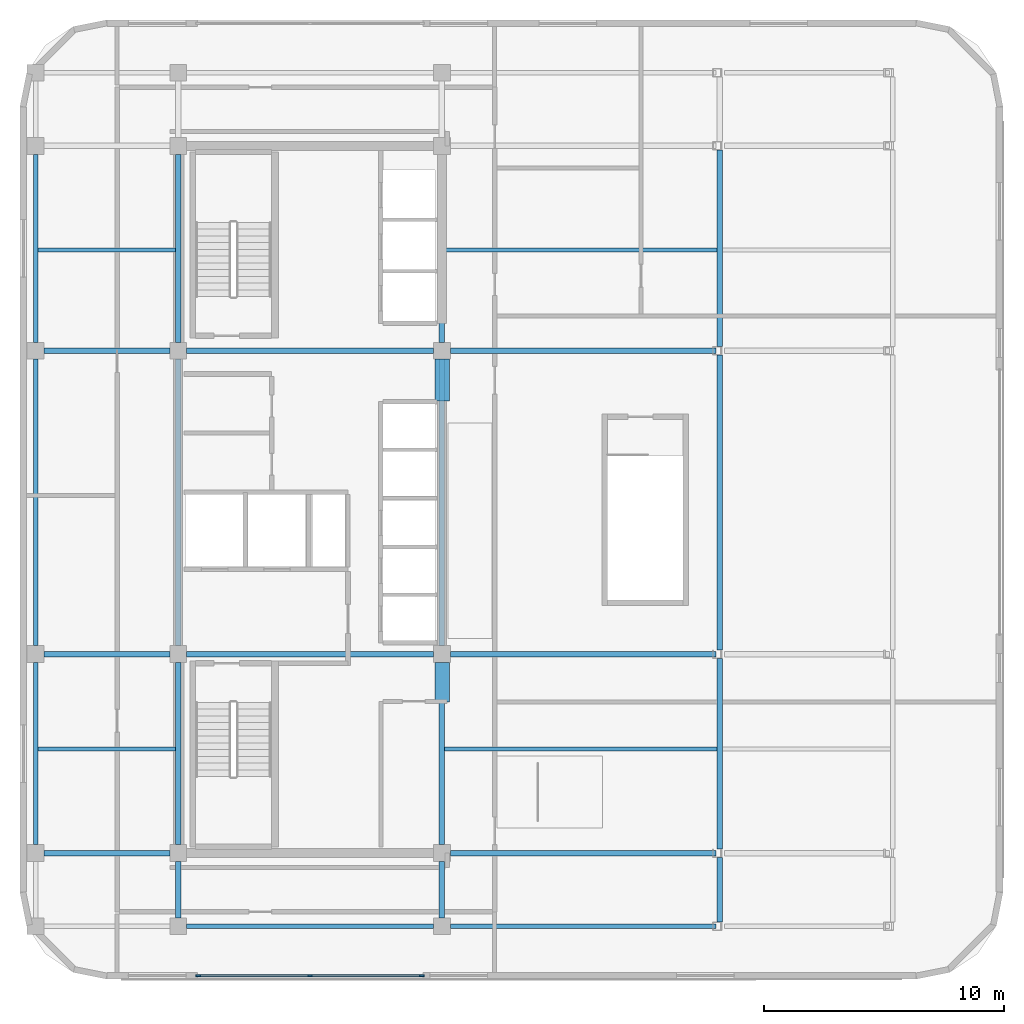
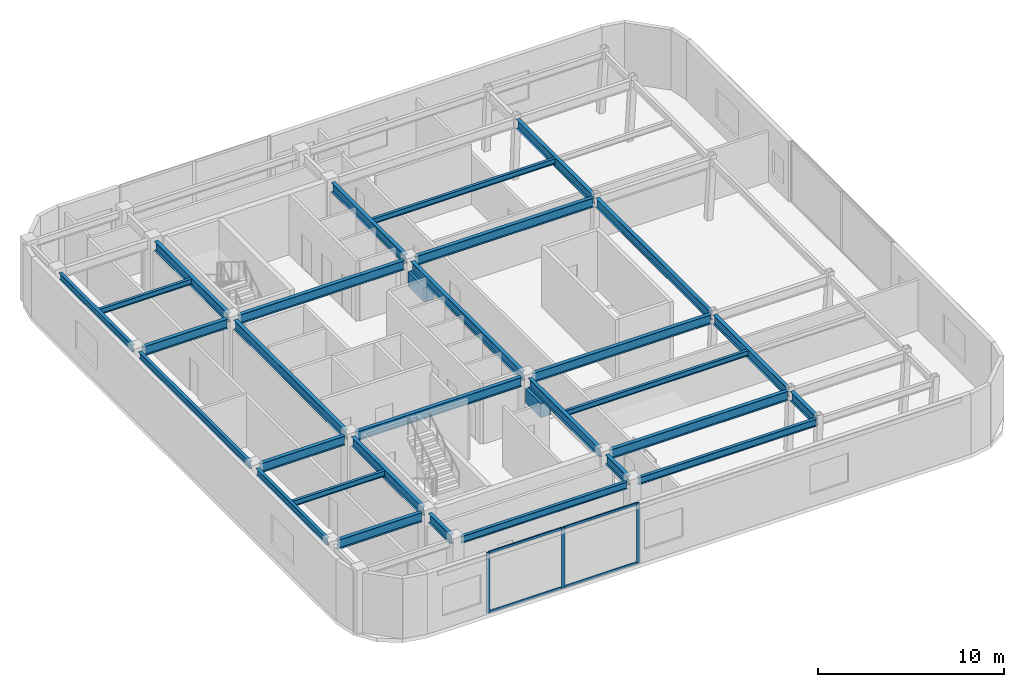
# One storey, part 2 of 11: 31 beams, 7 members, 1 element without a shape of its own.
"""IFC4 building model written with IfcOpenShell, lengths in metres."""

from ifc_helpers import new_model, si_unit, direction, frame, origin, origin_2d, place, context, subcontext, project, spatial, rectangle, i_section, extrude, material, layer, layer_set, material_profile, profile_set, type_object, element, aggregate, save


model = new_model("IFC4")

# Units and contexts
model_context = context("Model", 3, precision=1e-05, world=origin(), true_north=direction((0.0, 1.0)))
body_context = subcontext(model_context, "Body", "Model", "MODEL_VIEW")
ifc_project = project(units=[si_unit("LENGTHUNIT", "METRE"), si_unit("AREAUNIT", "SQUARE_METRE"), si_unit("VOLUMEUNIT", "CUBIC_METRE"), si_unit("PLANEANGLEUNIT", "RADIAN"), si_unit("MASSUNIT", "GRAM", prefix="KILO")], contexts=[model_context])

# Site, building, storey
site_placement = place(None, origin())
site = spatial("IfcSite", under=ifc_project, at=site_placement, CompositionType="ELEMENT")
building_placement = place(site_placement, origin())
building = spatial("IfcBuilding", under=site, at=building_placement, Name="Ochreholt Gables", CompositionType="ELEMENT")
storey_placement = place(building_placement, frame((0.0, 0.0, 192.0)))
storey = spatial("IfcBuildingStorey", under=building, at=storey_placement, Name="L50", CompositionType="ELEMENT", Elevation=192.0)

# Beams
ifc_material_1 = material(Name="Concrete 60 MPa", Category="concrete")
ifc_material_profile_1 = material_profile(ifc_material_1, rectangle(XDim=0.60009765625, YDim=0.949951171875, at=origin_2d()), Name="RCB600X950")
ifc_profile_set_1 = profile_set([ifc_material_profile_1], Name="Concrete 60 MPa")
beam_type_1 = type_object("IfcBeamType", Name="BM-CPL-RC600", PredefinedType="LINTEL", material=ifc_profile_set_1)
beam_1_placement = place(storey_placement, frame((35.2099609375, 15.550048828125, 2.873046875), z_axis=(0.0, 1.0, 0.0), x_axis=(-1.0, 0.0, 0.0)))
element("IfcBeam", 1, at=beam_1_placement, inside=storey, type_object=beam_type_1, Name="L50 Core Coupling Lintel CPS", PredefinedType="LINTEL", context=body_context, shape_type="SweptSolid", body=[
    extrude(rectangle(XDim=0.60009765625, YDim=0.949951171875, at=origin_2d()), origin(), (0.0, 0.0, 1.0), 1.64990234375),
])
beam_2_placement = place(storey_placement, frame((35.2099609375, 28.10009765625, 2.873046875), z_axis=(0.0, 1.0, 0.0), x_axis=(-1.0, 0.0, 0.0)))
element("IfcBeam", 2, at=beam_2_placement, inside=storey, type_object=beam_type_1, Name="L50 Core Coupling Lintel CPN", PredefinedType="LINTEL", context=body_context, shape_type="SweptSolid", body=[
    extrude(rectangle(XDim=0.60009765625, YDim=0.949951171875, at=origin_2d()), origin(), (0.0, 0.0, 1.0), 1.75),
])
ifc_material_2 = material(Name="Steel CSA G40.21 350W", Category="steel")
ifc_material_profile_2 = material_profile(ifc_material_2, i_section(OverallWidth=0.22900390625, OverallDepth=0.612060546875, WebThickness=0.011962890625, FlangeThickness=0.01953125, at=origin_2d()), Name="W610X125")
ifc_profile_set_2 = profile_set([ifc_material_profile_2], Name="Steel CSA G40.21 350W")
beam_type_2 = type_object("IfcBeamType", Name="BM-G-W610B", PredefinedType="BEAM", material=ifc_profile_set_2)
beam_3_placement = place(storey_placement, frame((18.599609375, 9.25, 3.654052734375), z_axis=(1.0, 0.0, 0.0), x_axis=(0.0, 1.0, 0.0)))
element("IfcBeam", 3, at=beam_3_placement, inside=storey, type_object=beam_type_2, Name="L50 Beam TBG-L50-W3C1-Y2", PredefinedType="BEAM", context=body_context, shape_type="SweptSolid", body=[
    extrude(i_section(OverallWidth=0.22900390625, OverallDepth=0.612060546875, WebThickness=0.011962890625, FlangeThickness=0.01953125, at=origin_2d()), origin(), (0.0, 0.0, 1.0), 5.250732421875),
])
beam_4_placement = place(storey_placement, frame((35.549560546875, 9.25, 3.654052734375), z_axis=(1.0, 0.0, 0.0), x_axis=(0.0, 1.0, 0.0)))
element("IfcBeam", 4, at=beam_4_placement, inside=storey, type_object=beam_type_2, Name="L50 Beam TBG-L50-C2EM-Y2", PredefinedType="BEAM", context=body_context, shape_type="SweptSolid", body=[
    extrude(i_section(OverallWidth=0.22900390625, OverallDepth=0.612060546875, WebThickness=0.011962890625, FlangeThickness=0.01953125, at=origin_2d()), origin(), (0.0, 0.0, 1.0), 11.075927734375),
])
beam_5_placement = place(storey_placement, frame((18.599609375, 17.550048828125, 3.654052734375), z_axis=(1.0, 0.0, 0.0), x_axis=(0.0, 1.0, 0.0)))
element("IfcBeam", 5, at=beam_5_placement, inside=storey, type_object=beam_type_2, Name="L50 Beam TBG-L50-W3C1-Y3", PredefinedType="BEAM", context=body_context, shape_type="SweptSolid", body=[
    extrude(i_section(OverallWidth=0.22900390625, OverallDepth=0.612060546875, WebThickness=0.011962890625, FlangeThickness=0.01953125, at=origin_2d()), origin(), (0.0, 0.0, 1.0), 5.250732421875),
])
beam_6_placement = place(storey_placement, frame((24.549560546875, 17.550048828125, 3.654052734375), z_axis=(1.0, 0.0, 0.0), x_axis=(0.0, 1.0, 0.0)))
element("IfcBeam", 6, at=beam_6_placement, inside=storey, type_object=beam_type_2, Name="L50 Beam TBG-L50-C1C2-Y3", PredefinedType="BEAM", context=body_context, shape_type="SweptSolid", body=[
    extrude(i_section(OverallWidth=0.22900390625, OverallDepth=0.612060546875, WebThickness=0.011962890625, FlangeThickness=0.01953125, at=origin_2d()), origin(), (0.0, 0.0, 1.0), 10.30078125),
])
beam_7_placement = place(storey_placement, frame((35.549560546875, 17.550048828125, 3.654052734375), z_axis=(1.0, 0.0, 0.0), x_axis=(0.0, 1.0, 0.0)))
element("IfcBeam", 7, at=beam_7_placement, inside=storey, type_object=beam_type_2, Name="L50 Beam TBG-L50-C2EM-Y3", PredefinedType="BEAM", context=body_context, shape_type="SweptSolid", body=[
    extrude(i_section(OverallWidth=0.22900390625, OverallDepth=0.612060546875, WebThickness=0.011962890625, FlangeThickness=0.01953125, at=origin_2d()), origin(), (0.0, 0.0, 1.0), 11.075927734375),
])
beam_8_placement = place(storey_placement, frame((18.599609375, 30.199951171875, 3.654052734375), z_axis=(1.0, 0.0, 0.0), x_axis=(0.0, 1.0, 0.0)))
element("IfcBeam", 8, at=beam_8_placement, inside=storey, type_object=beam_type_2, Name="L50 Beam TBG-L50-W3C1-Y4", PredefinedType="BEAM", context=body_context, shape_type="SweptSolid", body=[
    extrude(i_section(OverallWidth=0.22900390625, OverallDepth=0.612060546875, WebThickness=0.011962890625, FlangeThickness=0.01953125, at=origin_2d()), origin(), (0.0, 0.0, 1.0), 5.250732421875),
])
beam_9_placement = place(storey_placement, frame((24.549560546875, 30.199951171875, 3.654052734375), z_axis=(1.0, 0.0, 0.0), x_axis=(0.0, 1.0, 0.0)))
element("IfcBeam", 9, at=beam_9_placement, inside=storey, type_object=beam_type_2, Name="L50 Beam TBG-L50-C1C2-Y4", PredefinedType="BEAM", context=body_context, shape_type="SweptSolid", body=[
    extrude(i_section(OverallWidth=0.22900390625, OverallDepth=0.612060546875, WebThickness=0.011962890625, FlangeThickness=0.01953125, at=origin_2d()), origin(), (0.0, 0.0, 1.0), 10.30078125),
])
beam_10_placement = place(storey_placement, frame((35.549560546875, 30.199951171875, 3.654052734375), z_axis=(1.0, 0.0, 0.0), x_axis=(0.0, 1.0, 0.0)))
element("IfcBeam", 10, at=beam_10_placement, inside=storey, type_object=beam_type_2, Name="L50 Beam TBG-L50-C2EM-Y4", PredefinedType="BEAM", context=body_context, shape_type="SweptSolid", body=[
    extrude(i_section(OverallWidth=0.22900390625, OverallDepth=0.612060546875, WebThickness=0.011962890625, FlangeThickness=0.01953125, at=origin_2d()), origin(), (0.0, 0.0, 1.0), 11.075927734375),
])
beam_11_placement = place(storey_placement, frame((24.199951171875, 6.549560546875, 3.654052734375), z_axis=(0.0, 1.0, 0.0), x_axis=(-1.0, 0.0, 0.0)))
element("IfcBeam", 11, at=beam_11_placement, inside=storey, type_object=beam_type_2, Name="L50 Beam TBN-L50-C1-Y1Y2", PredefinedType="BEAM", context=body_context, shape_type="SweptSolid", body=[
    extrude(i_section(OverallWidth=0.22900390625, OverallDepth=0.612060546875, WebThickness=0.011962890625, FlangeThickness=0.01953125, at=origin_2d()), origin(), (0.0, 0.0, 1.0), 2.350830078125),
])
beam_12_placement = place(storey_placement, frame((24.199951171875, 9.599609375, 3.654052734375), z_axis=(0.0, 1.0, 0.0), x_axis=(-1.0, 0.0, 0.0)))
element("IfcBeam", 12, at=beam_12_placement, inside=storey, type_object=beam_type_2, Name="L50 Beam TBN-L50-C1-Y2Y3", PredefinedType="BEAM", context=body_context, shape_type="SweptSolid", body=[
    extrude(i_section(OverallWidth=0.22900390625, OverallDepth=0.612060546875, WebThickness=0.011962890625, FlangeThickness=0.01953125, at=origin_2d()), origin(), (0.0, 0.0, 1.0), 7.600830078125),
])
beam_13_placement = place(storey_placement, frame((24.199951171875, 17.899658203125, 3.654052734375), z_axis=(0.0, 1.0, 0.0), x_axis=(-1.0, 0.0, 0.0)))
element("IfcBeam", 13, at=beam_13_placement, inside=storey, type_object=beam_type_2, Name="L50 Beam TBN-L50-C1-Y3Y4", PredefinedType="BEAM", context=body_context, shape_type="SweptSolid", body=[
    extrude(i_section(OverallWidth=0.22900390625, OverallDepth=0.612060546875, WebThickness=0.011962890625, FlangeThickness=0.01953125, at=origin_2d()), origin(), (0.0, 0.0, 1.0), 11.95068359375),
])
beam_14_placement = place(storey_placement, frame((24.199951171875, 30.549560546875, 3.654052734375), z_axis=(0.0, 1.0, 0.0), x_axis=(-1.0, 0.0, 0.0)))
element("IfcBeam", 14, at=beam_14_placement, inside=storey, type_object=beam_type_2, Name="L50 Beam TBN-L50-C1-Y4Y5", PredefinedType="BEAM", context=body_context, shape_type="SweptSolid", body=[
    extrude(i_section(OverallWidth=0.22900390625, OverallDepth=0.612060546875, WebThickness=0.011962890625, FlangeThickness=0.01953125, at=origin_2d()), origin(), (0.0, 0.0, 1.0), 7.850830078125),
])
beam_15_placement = place(storey_placement, frame((35.199951171875, 6.549560546875, 3.654052734375), z_axis=(0.0, 1.0, 0.0), x_axis=(-1.0, 0.0, 0.0)))
element("IfcBeam", 15, at=beam_15_placement, inside=storey, type_object=beam_type_2, Name="L50 Beam TBN-L50-C2-Y1Y2", PredefinedType="BEAM", context=body_context, shape_type="SweptSolid", body=[
    extrude(i_section(OverallWidth=0.22900390625, OverallDepth=0.612060546875, WebThickness=0.011962890625, FlangeThickness=0.01953125, at=origin_2d()), origin(), (0.0, 0.0, 1.0), 2.350830078125),
])
beam_16_placement = place(storey_placement, frame((35.199951171875, 9.599609375, 3.654052734375), z_axis=(0.0, 1.0, 0.0), x_axis=(-1.0, 0.0, 0.0)))
element("IfcBeam", 16, at=beam_16_placement, inside=storey, type_object=beam_type_2, Name="L50 Beam TBN-L50-C2-Y2Y3", PredefinedType="BEAM", context=body_context, shape_type="SweptSolid", body=[
    extrude(i_section(OverallWidth=0.22900390625, OverallDepth=0.612060546875, WebThickness=0.011962890625, FlangeThickness=0.01953125, at=origin_2d()), origin(), (0.0, 0.0, 1.0), 7.600830078125),
])
beam_17_placement = place(storey_placement, frame((35.199951171875, 17.899658203125, 3.654052734375), z_axis=(0.0, 1.0, 0.0), x_axis=(-1.0, 0.0, 0.0)))
element("IfcBeam", 17, at=beam_17_placement, inside=storey, type_object=beam_type_2, Name="L50 Beam TBN-L50-C2-Y3Y4", PredefinedType="BEAM", context=body_context, shape_type="SweptSolid", body=[
    extrude(i_section(OverallWidth=0.22900390625, OverallDepth=0.612060546875, WebThickness=0.011962890625, FlangeThickness=0.01953125, at=origin_2d()), origin(), (0.0, 0.0, 1.0), 11.95068359375),
])
beam_18_placement = place(storey_placement, frame((35.199951171875, 30.549560546875, 3.654052734375), z_axis=(0.0, 1.0, 0.0), x_axis=(-1.0, 0.0, 0.0)))
element("IfcBeam", 18, at=beam_18_placement, inside=storey, type_object=beam_type_2, Name="L50 Beam TBN-L50-C2-Y4Y5", PredefinedType="BEAM", context=body_context, shape_type="SweptSolid", body=[
    extrude(i_section(OverallWidth=0.22900390625, OverallDepth=0.612060546875, WebThickness=0.011962890625, FlangeThickness=0.01953125, at=origin_2d()), origin(), (0.0, 0.0, 1.0), 7.850830078125),
])
beam_19_placement = place(storey_placement, frame((46.785888671875, 6.377685546875, 3.654052734375), z_axis=(0.0, 1.0, 0.0), x_axis=(-1.0, 0.0, 0.0)))
element("IfcBeam", 19, at=beam_19_placement, inside=storey, type_object=beam_type_2, Name="L50 Beam TBN-L50-EM-Y1Y2", PredefinedType="BEAM", context=body_context, shape_type="SweptSolid", body=[
    extrude(i_section(OverallWidth=0.22900390625, OverallDepth=0.612060546875, WebThickness=0.011962890625, FlangeThickness=0.01953125, at=origin_2d()), origin(), (0.0, 0.0, 1.0), 2.69482421875),
])
beam_20_placement = place(storey_placement, frame((46.785888671875, 9.427490234375, 3.654052734375), z_axis=(0.0, 1.0, 0.0), x_axis=(-1.0, 0.0, 0.0)))
element("IfcBeam", 20, at=beam_20_placement, inside=storey, type_object=beam_type_2, Name="L50 Beam TBN-L50-EM-Y2Y3", PredefinedType="BEAM", context=body_context, shape_type="SweptSolid", body=[
    extrude(i_section(OverallWidth=0.22900390625, OverallDepth=0.612060546875, WebThickness=0.011962890625, FlangeThickness=0.01953125, at=origin_2d()), origin(), (0.0, 0.0, 1.0), 7.94482421875),
])
beam_21_placement = place(storey_placement, frame((46.785888671875, 17.7275390625, 3.654052734375), z_axis=(0.0, 1.0, 0.0), x_axis=(-1.0, 0.0, 0.0)))
element("IfcBeam", 21, at=beam_21_placement, inside=storey, type_object=beam_type_2, Name="L50 Beam TBN-L50-EM-Y3Y4", PredefinedType="BEAM", context=body_context, shape_type="SweptSolid", body=[
    extrude(i_section(OverallWidth=0.22900390625, OverallDepth=0.612060546875, WebThickness=0.011962890625, FlangeThickness=0.01953125, at=origin_2d()), origin(), (0.0, 0.0, 1.0), 12.294921875),
])
beam_22_placement = place(storey_placement, frame((46.785888671875, 30.377685546875, 3.654052734375), z_axis=(0.0, 1.0, 0.0), x_axis=(-1.0, 0.0, 0.0)))
element("IfcBeam", 22, at=beam_22_placement, inside=storey, type_object=beam_type_2, Name="L50 Beam TBN-L50-EM-Y4Y5", PredefinedType="BEAM", context=body_context, shape_type="SweptSolid", body=[
    extrude(i_section(OverallWidth=0.22900390625, OverallDepth=0.612060546875, WebThickness=0.011962890625, FlangeThickness=0.01953125, at=origin_2d()), origin(), (0.0, 0.0, 1.0), 8.19482421875),
])
ifc_material_profile_3 = material_profile(ifc_material_2, i_section(OverallWidth=0.172119140625, OverallDepth=0.35791015625, WebThickness=0.0078125, FlangeThickness=0.01318359375, at=origin_2d()), Name="W360X57")
ifc_profile_set_3 = profile_set([ifc_material_profile_3], Name="Steel CSA G40.21 350W")
beam_type_3 = type_object("IfcBeamType", Name="BM-J-W360B", PredefinedType="JOIST", material=ifc_profile_set_3)
beam_23_placement = place(storey_placement, frame((18.345703125, 13.60009765625, 3.781005859375), z_axis=(1.0, 0.0, 0.0), x_axis=(0.0, 1.0, 0.0)))
element("IfcBeam", 23, at=beam_23_placement, inside=storey, type_object=beam_type_3, Name="L50 Beam TBJ-L50-J1-W3C1", PredefinedType="JOIST", context=body_context, shape_type="SweptSolid", body=[
    extrude(i_section(OverallWidth=0.172119140625, OverallDepth=0.35791015625, WebThickness=0.0078125, FlangeThickness=0.01318359375, at=origin_2d()), origin(), (0.0, 0.0, 1.0), 5.740234375),
])
beam_24_placement = place(storey_placement, frame((35.314208984375, 13.60009765625, 3.781005859375), z_axis=(1.0, 0.0, 0.0), x_axis=(0.0, 1.0, 0.0)))
element("IfcBeam", 24, at=beam_24_placement, inside=storey, type_object=beam_type_3, Name="L50 Beam TBJ-L50-J1-C2EM", PredefinedType="JOIST", context=body_context, shape_type="SweptSolid", body=[
    extrude(i_section(OverallWidth=0.172119140625, OverallDepth=0.35791015625, WebThickness=0.0078125, FlangeThickness=0.01318359375, at=origin_2d()), origin(), (0.0, 0.0, 1.0), 11.357421875),
])
beam_25_placement = place(storey_placement, frame((18.345703125, 34.39990234375, 3.781005859375), z_axis=(1.0, 0.0, 0.0), x_axis=(0.0, 1.0, 0.0)))
element("IfcBeam", 25, at=beam_25_placement, inside=storey, type_object=beam_type_3, Name="L50 Beam TBJ-L50-J2-W3C1", PredefinedType="JOIST", context=body_context, shape_type="SweptSolid", body=[
    extrude(i_section(OverallWidth=0.172119140625, OverallDepth=0.35791015625, WebThickness=0.0078125, FlangeThickness=0.01318359375, at=origin_2d()), origin(), (0.0, 0.0, 1.0), 5.740234375),
])
beam_26_placement = place(storey_placement, frame((35.314208984375, 34.39990234375, 3.781005859375), z_axis=(1.0, 0.0, 0.0), x_axis=(0.0, 1.0, 0.0)))
element("IfcBeam", 26, at=beam_26_placement, inside=storey, type_object=beam_type_3, Name="L50 Beam TBJ-L50-J2-C2EM", PredefinedType="JOIST", context=body_context, shape_type="SweptSolid", body=[
    extrude(i_section(OverallWidth=0.172119140625, OverallDepth=0.35791015625, WebThickness=0.0078125, FlangeThickness=0.01318359375, at=origin_2d()), origin(), (0.0, 0.0, 1.0), 11.357421875),
])
ifc_material_profile_4 = material_profile(ifc_material_2, i_section(OverallWidth=0.19189453125, OverallDepth=0.462890625, WebThickness=0.010498046875, FlangeThickness=0.017578125, at=origin_2d()), Name="W460X89")
ifc_profile_set_4 = profile_set([ifc_material_profile_4], Name="Steel CSA G40.21 350W")
beam_type_4 = type_object("IfcBeamType", Name="BM-SP-W460A", PredefinedType="SPANDREL", material=ifc_profile_set_4)
beam_27_placement = place(storey_placement, frame((24.549560546875, 6.199951171875, 3.728515625), z_axis=(1.0, 0.0, 0.0), x_axis=(0.0, 1.0, 0.0)))
element("IfcBeam", 27, at=beam_27_placement, inside=storey, type_object=beam_type_4, Name="L50 Beam TBG-L50-C1C2-Y1", PredefinedType="SPANDREL", context=body_context, shape_type="SweptSolid", body=[
    extrude(i_section(OverallWidth=0.19189453125, OverallDepth=0.462890625, WebThickness=0.010498046875, FlangeThickness=0.017578125, at=origin_2d()), origin(), (0.0, 0.0, 1.0), 10.30078125),
])
beam_28_placement = place(storey_placement, frame((35.549560546875, 6.199951171875, 3.728515625), z_axis=(1.0, 0.0, 0.0), x_axis=(0.0, 1.0, 0.0)))
element("IfcBeam", 28, at=beam_28_placement, inside=storey, type_object=beam_type_4, Name="L50 Beam TBG-L50-C2EM-Y1", PredefinedType="SPANDREL", context=body_context, shape_type="SweptSolid", body=[
    extrude(i_section(OverallWidth=0.19189453125, OverallDepth=0.462890625, WebThickness=0.010498046875, FlangeThickness=0.017578125, at=origin_2d()), origin(), (0.0, 0.0, 1.0), 11.075927734375),
])
beam_29_placement = place(storey_placement, frame((18.25, 9.599609375, 3.728515625), z_axis=(0.0, 1.0, 0.0), x_axis=(-1.0, 0.0, 0.0)))
element("IfcBeam", 29, at=beam_29_placement, inside=storey, type_object=beam_type_4, Name="L50 Beam TBN-L50-W3-Y2Y3", PredefinedType="SPANDREL", context=body_context, shape_type="SweptSolid", body=[
    extrude(i_section(OverallWidth=0.19189453125, OverallDepth=0.462890625, WebThickness=0.010498046875, FlangeThickness=0.017578125, at=origin_2d()), origin(), (0.0, 0.0, 1.0), 7.600830078125),
])
beam_30_placement = place(storey_placement, frame((18.25, 17.899658203125, 3.728515625), z_axis=(0.0, 1.0, 0.0), x_axis=(-1.0, 0.0, 0.0)))
element("IfcBeam", 30, at=beam_30_placement, inside=storey, type_object=beam_type_4, Name="L50 Beam TBN-L50-W3-Y3Y4", PredefinedType="SPANDREL", context=body_context, shape_type="SweptSolid", body=[
    extrude(i_section(OverallWidth=0.19189453125, OverallDepth=0.462890625, WebThickness=0.010498046875, FlangeThickness=0.017578125, at=origin_2d()), origin(), (0.0, 0.0, 1.0), 11.95068359375),
])
beam_31_placement = place(storey_placement, frame((18.25, 30.549560546875, 3.728515625), z_axis=(0.0, 1.0, 0.0), x_axis=(-1.0, 0.0, 0.0)))
element("IfcBeam", 31, at=beam_31_placement, inside=storey, type_object=beam_type_4, Name="L50 Beam TBN-L50-W3-Y4Y5", PredefinedType="SPANDREL", context=body_context, shape_type="SweptSolid", body=[
    extrude(i_section(OverallWidth=0.19189453125, OverallDepth=0.462890625, WebThickness=0.010498046875, FlangeThickness=0.017578125, at=origin_2d()), origin(), (0.0, 0.0, 1.0), 7.850830078125),
])

# Curtain wall, members
ifc_material_3 = material(Name="Unitised Aluminium and Triple Glazing", Category="aluminium")
ifc_layer = layer(ifc_material_3, 0.219970703125, Name="Unitised Aluminium and Triple Glazing")
ifc_layer_set = layer_set([ifc_layer], Name="Unitised Aluminium and Triple Glazing")
curtain_wall_type = type_object("IfcCurtainWallType", Name="CW-SYS6", PredefinedType="NOTDEFINED", material=ifc_layer_set)
curtain_wall_placement = place(storey_placement, origin())
curtain_wall = element("IfcCurtainWall", 32, at=curtain_wall_placement, inside=storey, type_object=curtain_wall_type, Name="L50 South Unitised Curtain Wall", PredefinedType="NOTDEFINED")
ifc_material_4 = material(Name="Anodized Aluminium 6063-T6", Category="aluminium")
ifc_material_profile_5 = material_profile(ifc_material_4, rectangle(XDim=0.074951171875, YDim=0.199951171875, at=origin_2d()), Name="CWM75X200")
ifc_profile_set_5 = profile_set([ifc_material_profile_5], Name="Anodized Aluminium 6063-T6")
member_type_1 = type_object("IfcMemberType", Name="CW-MUL-A", PredefinedType="MULLION", material=ifc_profile_set_5)
member_1_placement = place(storey_placement, frame((25.03759765625, 4.139892578125, 0.0), z_axis=(0.0, 0.0, 1.0), x_axis=(0.0, 1.0, 0.0)))
member_1 = element("IfcMember", 33, at=member_1_placement, type_object=member_type_1, Name="CW-6 mullion 1", PredefinedType="MULLION", context=body_context, shape_type="SweptSolid", body=[
    extrude(rectangle(XDim=0.074951171875, YDim=0.199951171875, at=origin_2d()), origin(), (0.0, 0.0, 1.0), 3.9599609375),
])
member_2_placement = place(storey_placement, frame((29.699951171875, 4.139892578125, 0.0), z_axis=(0.0, 0.0, 1.0), x_axis=(0.0, 1.0, 0.0)))
member_2 = element("IfcMember", 34, at=member_2_placement, type_object=member_type_1, Name="CW-6 mullion 2", PredefinedType="MULLION", context=body_context, shape_type="SweptSolid", body=[
    extrude(rectangle(XDim=0.074951171875, YDim=0.199951171875, at=origin_2d()), origin(), (0.0, 0.0, 1.0), 3.9599609375),
])
member_3_placement = place(storey_placement, frame((34.362548828125, 4.139892578125, 0.0), z_axis=(0.0, 0.0, 1.0), x_axis=(0.0, 1.0, 0.0)))
member_3 = element("IfcMember", 35, at=member_3_placement, type_object=member_type_1, Name="CW-6 mullion 3", PredefinedType="MULLION", context=body_context, shape_type="SweptSolid", body=[
    extrude(rectangle(XDim=0.074951171875, YDim=0.199951171875, at=origin_2d()), origin(), (0.0, 0.0, 1.0), 3.9599609375),
])
ifc_material_profile_6 = material_profile(ifc_material_4, rectangle(XDim=0.074951171875, YDim=0.159912109375, at=origin_2d()), Name="CWT75X160")
ifc_profile_set_6 = profile_set([ifc_material_profile_6], Name="Anodized Aluminium 6063-T6")
member_type_2 = type_object("IfcMemberType", Name="CW-TRN-A", PredefinedType="USERDEFINED", material=ifc_profile_set_6)
member_4_placement = place(storey_placement, frame((25.074951171875, 4.139892578125, 0.03759765625), z_axis=(1.0, 0.0, 0.0), x_axis=(0.0, 1.0, 0.0)))
member_4 = element("IfcMember", 36, at=member_4_placement, type_object=member_type_2, Name="CW-6 transom 1.1", ObjectType="TRANSOM", PredefinedType="USERDEFINED", context=body_context, shape_type="SweptSolid", body=[
    extrude(rectangle(XDim=0.074951171875, YDim=0.159912109375, at=origin_2d()), origin(), (0.0, 0.0, 1.0), 4.587646484375),
])
member_5_placement = place(storey_placement, frame((25.074951171875, 4.139892578125, 3.922607421875), z_axis=(1.0, 0.0, 0.0), x_axis=(0.0, 1.0, 0.0)))
member_5 = element("IfcMember", 37, at=member_5_placement, type_object=member_type_2, Name="CW-6 transom 1.2", ObjectType="TRANSOM", PredefinedType="USERDEFINED", context=body_context, shape_type="SweptSolid", body=[
    extrude(rectangle(XDim=0.074951171875, YDim=0.159912109375, at=origin_2d()), origin(), (0.0, 0.0, 1.0), 4.587646484375),
])
member_6_placement = place(storey_placement, frame((29.737548828125, 4.139892578125, 0.03759765625), z_axis=(1.0, 0.0, 0.0), x_axis=(0.0, 1.0, 0.0)))
member_6 = element("IfcMember", 38, at=member_6_placement, type_object=member_type_2, Name="CW-6 transom 2.1", ObjectType="TRANSOM", PredefinedType="USERDEFINED", context=body_context, shape_type="SweptSolid", body=[
    extrude(rectangle(XDim=0.074951171875, YDim=0.159912109375, at=origin_2d()), origin(), (0.0, 0.0, 1.0), 4.58740234375),
])
member_7_placement = place(storey_placement, frame((29.737548828125, 4.139892578125, 3.922607421875), z_axis=(1.0, 0.0, 0.0), x_axis=(0.0, 1.0, 0.0)))
member_7 = element("IfcMember", 39, at=member_7_placement, type_object=member_type_2, Name="CW-6 transom 2.2", ObjectType="TRANSOM", PredefinedType="USERDEFINED", context=body_context, shape_type="SweptSolid", body=[
    extrude(rectangle(XDim=0.074951171875, YDim=0.159912109375, at=origin_2d()), origin(), (0.0, 0.0, 1.0), 4.58740234375),
])
aggregate(curtain_wall, [member_1, member_2, member_3, member_4, member_5, member_6, member_7])

save(model, "model.ifc")
